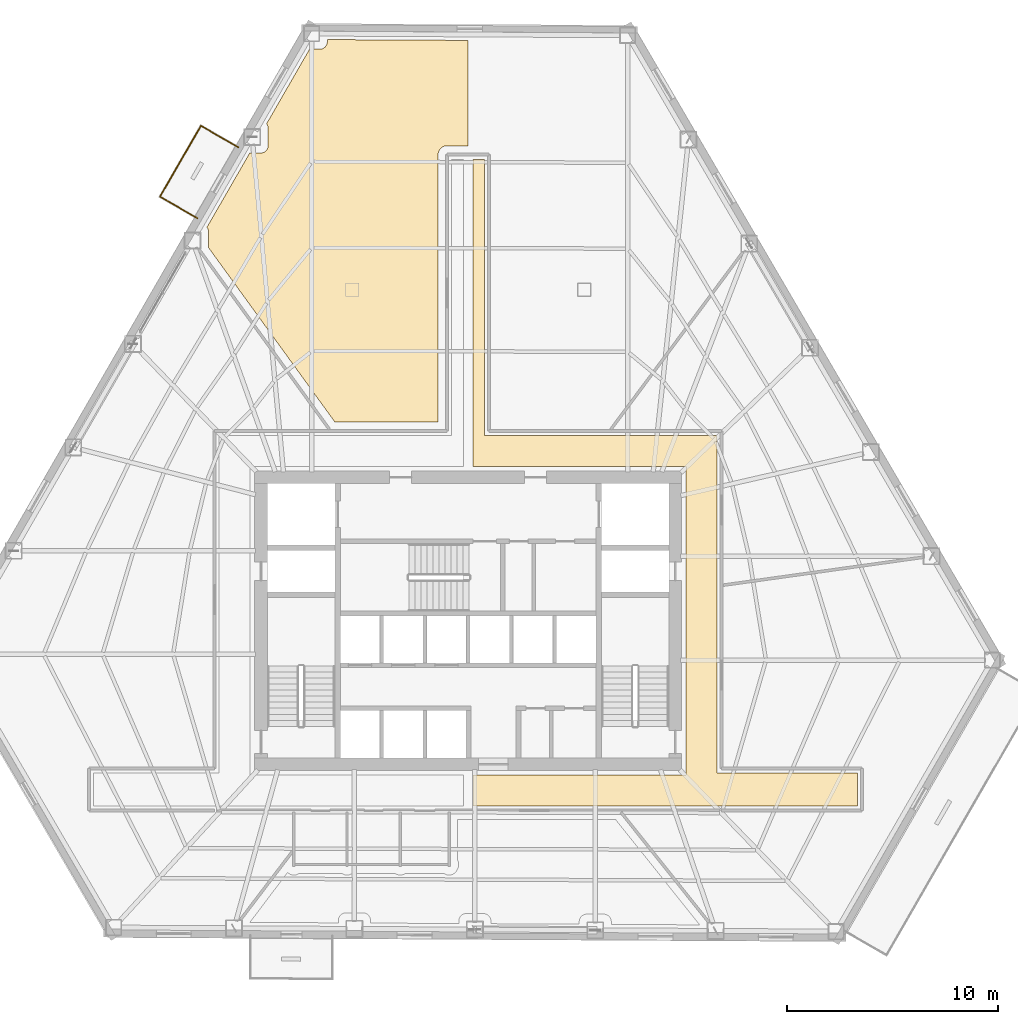
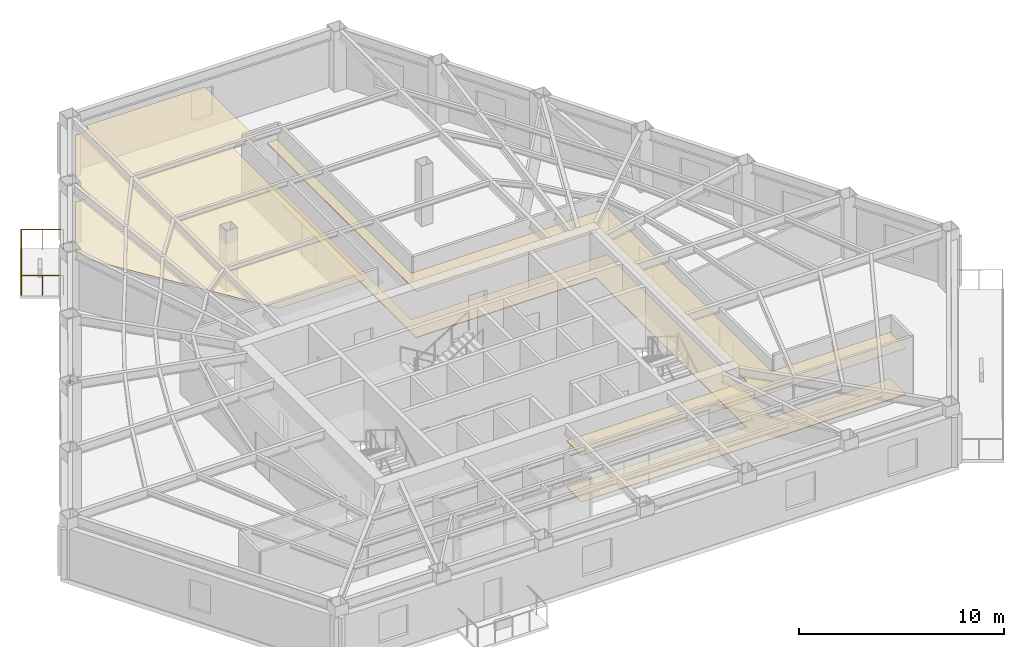
# One storey, part 16 of 16: 3 coverings, 3 railings.
"""IFC4 building model written with IfcOpenShell, lengths in metres."""

from ifc_helpers import new_model, si_unit, direction, frame, origin, origin_2d, place, context, subcontext, project, spatial, polyline, circle, outline, extrude, material, layer, layer_set, type_object, element, save


model = new_model("IFC4")

# Units and contexts
model_context = context("Model", 3, precision=1e-05, world=origin(), true_north=direction((0.0, 1.0)))
body_context = subcontext(model_context, "Body", "Model", "MODEL_VIEW")
ifc_project = project(units=[si_unit("LENGTHUNIT", "METRE"), si_unit("AREAUNIT", "SQUARE_METRE"), si_unit("VOLUMEUNIT", "CUBIC_METRE"), si_unit("PLANEANGLEUNIT", "RADIAN"), si_unit("MASSUNIT", "GRAM", prefix="KILO")], contexts=[model_context])

# Site, building, storey
site_placement = place(None, origin())
site = spatial("IfcSite", under=ifc_project, at=site_placement, CompositionType="ELEMENT")
building_placement = place(site_placement, origin())
building = spatial("IfcBuilding", under=site, at=building_placement, Name="Kavelnor Concourse Tower", CompositionType="ELEMENT")
storey_placement = place(building_placement, frame((0.0, 0.0, 48.35009765625)))
storey = spatial("IfcBuildingStorey", under=building, at=storey_placement, Name="L12", CompositionType="ELEMENT", Elevation=48.35009765625)

# Coverings
ifc_material_1 = material(Name="Mineral fibre acoustic ceiling tile")
ifc_layer_1 = layer(ifc_material_1, 0.0400390625, Name="Mineral fibre acoustic ceiling tile")
ifc_layer_set_1 = layer_set([ifc_layer_1], Name="Mineral fibre acoustic ceiling tile")
covering_type_1 = type_object("IfcCoveringType", Name="COV-CEILING-ACOUSTIC", PredefinedType="CEILING", material=ifc_layer_set_1)
covering_1_placement = place(storey_placement, frame((0.0, 0.0, 2.75)))
element("IfcCovering", 1, at=covering_1_placement, inside=storey, type_object=covering_type_1, Name="L12 Suspended Acoustic Ceiling", PredefinedType="CEILING", context=body_context, shape_type="SweptSolid", body=[
    extrude(outline(polyline([(38.780029296875, 37.97998046875), (38.780029296875, 24.8798828125), (49.800048828125, 24.8798828125), (49.800048828125, 8.8798828125), (56.460693359375, 8.8798828125), (56.460693359375, 7.320068359375), (38.22509765625, 7.320068359375), (38.22509765625, 8.780029296875), (48.340087890625, 8.780029296875), (48.340087890625, 23.419921875), (38.22509765625, 23.419921875), (38.22509765625, 37.97998046875), (38.780029296875, 37.97998046875)])), origin(), (0.0, 0.0, 1.0), 0.039794921875),
])
covering_2_placement = place(storey_placement, frame((0.0, 0.0, 2.75)))
element("IfcCovering", 2, at=covering_2_placement, inside=storey, type_object=covering_type_1, Name="L12 Suspended Acoustic Ceiling", PredefinedType="CEILING", context=body_context, shape_type="SweptSolid", body=[
    extrude(outline(polyline([(28.194091796875, 38.277099609375), (28.22900390625, 38.2822265625), (28.26318359375, 38.291015625), (28.296630859375, 38.302734375), (28.32861328125, 38.31787109375), (28.35888671875, 38.336181640625), (28.38720703125, 38.357177734375), (28.41357421875, 38.381103515625), (28.437255859375, 38.4072265625), (28.45849609375, 38.435546875), (28.4765625, 38.4658203125), (28.49169921875, 38.497802734375), (28.503662109375, 38.53125), (28.51220703125, 38.5654296875), (28.517333984375, 38.6005859375), (28.518798828125, 38.62744140625), (28.518798828125, 39.444091796875), (28.517333984375, 39.47119140625), (28.51220703125, 39.506103515625), (28.503662109375, 39.540283203125), (28.49169921875, 39.57373046875), (28.4765625, 39.605712890625), (28.45849609375, 39.635986328125), (28.441162109375, 39.6591796875), (30.4814453125, 43.19970703125), (30.97314453125, 43.19970703125), (31.0, 43.200927734375), (31.03515625, 43.206298828125), (31.0693359375, 43.21484375), (31.102783203125, 43.226806640625), (31.134765625, 43.24169921875), (31.1650390625, 43.260009765625), (31.193359375, 43.281005859375), (31.219482421875, 43.304931640625), (31.243408203125, 43.3310546875), (31.264404296875, 43.359619140625), (31.28271484375, 43.389892578125), (31.2978515625, 43.421875), (31.309814453125, 43.455078125), (31.318359375, 43.489501953125), (31.323486328125, 43.5244140625), (31.32470703125, 43.551513671875), (31.32470703125, 43.655517578125), (37.9951171875, 43.618408203125), (37.9951171875, 38.62255859375), (36.99169921875, 38.62255859375), (36.95849609375, 38.620849609375), (36.91748046875, 38.61474609375), (36.877197265625, 38.604736328125), (36.838134765625, 38.5908203125), (36.800537109375, 38.572998046875), (36.764892578125, 38.551513671875), (36.731689453125, 38.52685546875), (36.700927734375, 38.4990234375), (36.673095703125, 38.46826171875), (36.6484375, 38.43505859375), (36.626953125, 38.3994140625), (36.609375, 38.36181640625), (36.59521484375, 38.32275390625), (36.585205078125, 38.282470703125), (36.5791015625, 38.241455078125), (36.577392578125, 38.208251953125), (36.577392578125, 25.5224609375), (31.68408203125, 25.5224609375), (25.692626953125, 33.790283203125), (25.692626953125, 34.540283203125), (25.69140625, 34.567138671875), (25.686279296875, 34.602294921875), (25.677490234375, 34.636474609375), (25.665771484375, 34.669921875), (25.650634765625, 34.701904296875), (25.63232421875, 34.732177734375), (25.614990234375, 34.75537109375), (27.643798828125, 38.27587890625), (28.1669921875, 38.27587890625), (28.194091796875, 38.277099609375)])), origin(), (0.0, 0.0, 1.0), 0.039794921875),
])
ifc_material_2 = material(Name="Honed bluestone and raised access floor finish", Category="masonry")
ifc_layer_2 = layer(ifc_material_2, 0.0400390625, Name="Honed bluestone and raised access floor finish")
ifc_layer_set_2 = layer_set([ifc_layer_2], Name="Honed bluestone and raised access floor finish")
covering_type_2 = type_object("IfcCoveringType", Name="COV-FLOOR-STONE", PredefinedType="FLOORING", material=ifc_layer_set_2)
covering_3_placement = place(storey_placement, frame((0.0, 0.0, 0.001953125)))
element("IfcCovering", 3, at=covering_3_placement, inside=storey, type_object=covering_type_2, Name="L12 Honed Bluestone Floor Finish", PredefinedType="FLOORING", context=body_context, shape_type="SweptSolid", body=[
    extrude(outline(polyline([(38.780029296875, 37.97998046875), (38.780029296875, 24.8798828125), (49.800048828125, 24.8798828125), (49.800048828125, 8.8798828125), (56.460693359375, 8.8798828125), (56.460693359375, 7.320068359375), (38.22509765625, 7.320068359375), (38.22509765625, 8.780029296875), (48.340087890625, 8.780029296875), (48.340087890625, 23.419921875), (38.22509765625, 23.419921875), (38.22509765625, 37.97998046875), (38.780029296875, 37.97998046875)])), origin(), (0.0, 0.0, 1.0), 0.0400390625),
])

# Railings
ifc_material_3 = material(Name="Architectural bronze-anodised aluminium", Category="aluminium")
railing_type = type_object("IfcRailingType", Name="RLG-TERRACE-1200", PredefinedType="BALUSTRADE", material=ifc_material_3)
railing_1_placement = place(storey_placement, frame((27.10693359375, 38.545654296875, 0.0)))
element("IfcRailing", 4, at=railing_1_placement, inside=storey, type_object=railing_type, Name="L12 Tree Balcony 1 Guardrail L", PredefinedType="BALUSTRADE", context=body_context, shape_type="SweptSolid", body=[
    extrude(circle(Radius=0.02392578125, at=origin_2d()), frame((0.0, 0.0, 1.17578125), z_axis=(-0.866397653833, 0.499354689006, 0.0), x_axis=(-0.499354689006, -0.866397653833, 0.0)), (0.0, 0.0, 1.0), 2.050048828125),
    extrude(circle(Radius=0.02099609375, at=origin_2d()), origin(), (0.0, 0.0, 1.0), 1.15185546875),
    extrude(circle(Radius=0.02099609375, at=origin_2d()), frame((-0.88818359375, 0.51171875, 0.0)), (0.0, 0.0, 1.0), 1.15185546875),
    extrude(circle(Radius=0.02099609375, at=origin_2d()), frame((-1.776123046875, 1.023681640625, 0.0)), (0.0, 0.0, 1.0), 1.15185546875),
])
railing_2_placement = place(storey_placement, frame((25.330810546875, 39.5693359375, 0.0)))
element("IfcRailing", 5, at=railing_2_placement, inside=storey, type_object=railing_type, Name="L12 Tree Balcony 1 Guardrail F", PredefinedType="BALUSTRADE", context=body_context, shape_type="SweptSolid", body=[
    extrude(circle(Radius=0.02392578125, at=origin_2d()), frame((0.0, 0.0, 1.17578125), z_axis=(-0.499333848948, -0.866409664821, 0.0), x_axis=(0.866409664821, -0.499333848948, 0.0)), (0.0, 0.0, 1.0), 3.880126953125),
    extrude(circle(Radius=0.02099609375, at=origin_2d()), origin(), (0.0, 0.0, 1.0), 1.15185546875),
    extrude(circle(Radius=0.02099609375, at=origin_2d()), frame((-0.484375, -0.84033203125, 0.0)), (0.0, 0.0, 1.0), 1.15185546875),
    extrude(circle(Radius=0.02099609375, at=origin_2d()), frame((-0.96875, -1.680908203125, 0.0)), (0.0, 0.0, 1.0), 1.15185546875),
    extrude(circle(Radius=0.02099609375, at=origin_2d()), frame((-1.453125, -2.521484375, 0.0)), (0.0, 0.0, 1.0), 1.15185546875),
    extrude(circle(Radius=0.02099609375, at=origin_2d()), frame((-1.9375, -3.36181640625, 0.0)), (0.0, 0.0, 1.0), 1.15185546875),
])
railing_3_placement = place(storey_placement, frame((23.393310546875, 36.20751953125, 0.0)))
element("IfcRailing", 6, at=railing_3_placement, inside=storey, type_object=railing_type, Name="L12 Tree Balcony 1 Guardrail R", PredefinedType="BALUSTRADE", context=body_context, shape_type="SweptSolid", body=[
    extrude(circle(Radius=0.02392578125, at=origin_2d()), frame((0.0, 0.0, 1.17578125), z_axis=(0.866427345551, -0.499303169309, 0.0), x_axis=(0.499303169309, 0.866427345551, 0.0)), (0.0, 0.0, 1.0), 2.05029296875),
    extrude(circle(Radius=0.02099609375, at=origin_2d()), origin(), (0.0, 0.0, 1.0), 1.15185546875),
    extrude(circle(Radius=0.02099609375, at=origin_2d()), frame((0.88818359375, -0.51171875, 0.0)), (0.0, 0.0, 1.0), 1.15185546875),
    extrude(circle(Radius=0.02099609375, at=origin_2d()), frame((1.7763671875, -1.023681640625, 0.0)), (0.0, 0.0, 1.0), 1.15185546875),
])

save(model, "model.ifc")
